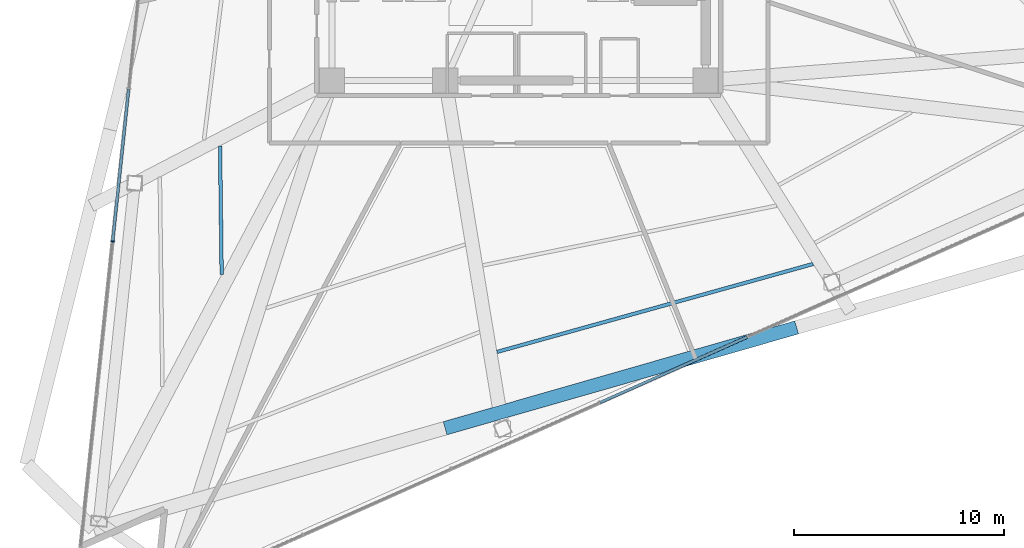
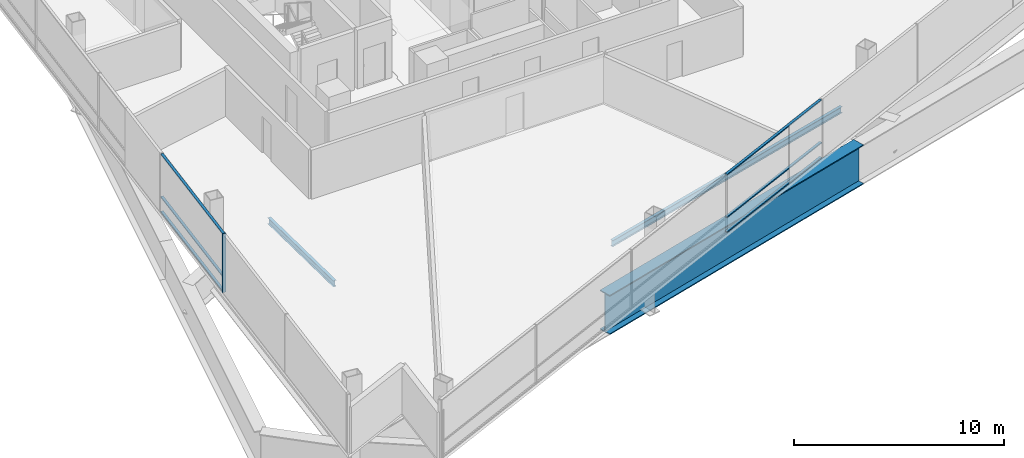
# One storey, part 3 of 17: 7 members, 3 beams, 2 elements without a shape of their own.
"""IFC4 building model written with IfcOpenShell, lengths in metres."""

from ifc_helpers import new_model, si_unit, direction, frame, origin, origin_2d, place, context, subcontext, project, spatial, rectangle, i_section, extrude, material, layer, layer_set, material_profile, profile_set, type_object, element, aggregate, save


model = new_model("IFC4")

# Units and contexts
model_context = context("Model", 3, precision=1e-05, world=origin(), true_north=direction((0.0, 1.0)))
body_context = subcontext(model_context, "Body", "Model", "MODEL_VIEW")
ifc_project = project(units=[si_unit("LENGTHUNIT", "METRE"), si_unit("AREAUNIT", "SQUARE_METRE"), si_unit("VOLUMEUNIT", "CUBIC_METRE"), si_unit("PLANEANGLEUNIT", "RADIAN"), si_unit("MASSUNIT", "GRAM", prefix="KILO")], contexts=[model_context])

# Site, building, storey
site_placement = place(None, origin())
site = spatial("IfcSite", under=ifc_project, at=site_placement, CompositionType="ELEMENT")
building_placement = place(site_placement, origin())
building = spatial("IfcBuilding", under=site, at=building_placement, Name="Tharavind Bronze Gate", CompositionType="ELEMENT")
storey_placement = place(building_placement, frame((0.0, 0.0, 112.449951171875)))
storey = spatial("IfcBuildingStorey", under=building, at=storey_placement, Name="L28", CompositionType="ELEMENT", Elevation=112.449951171875)

# Curtain wall, members
ifc_material_1 = material(Name="Anodised Bronze Aluminium", Category="aluminium")
ifc_layer = layer(ifc_material_1, 0.219970703125)
ifc_layer_set = layer_set([ifc_layer], Name="Anodised Bronze Aluminium")
curtain_wall_type = type_object("IfcCurtainWallType", Name="UNITISED CURTAIN WALL LOWER OFFICE", PredefinedType="USERDEFINED", material=ifc_layer_set)
curtain_wall_1_placement = place(storey_placement, origin())
curtain_wall_1 = element("IfcCurtainWall", 1, at=curtain_wall_1_placement, inside=storey, type_object=curtain_wall_type, Name="L28 unitised curtain wall lower office CW-L28-S1", ObjectType="UNITISED CURTAIN WALL", PredefinedType="USERDEFINED")
member_type_1 = type_object("IfcMemberType", Name="CURTAIN WALL BRONZE MULLION 65X180", PredefinedType="MULLION", material=ifc_material_1)
member_1_placement = place(storey_placement, frame((-19.349853515625, -15.2646484375, 0.0), z_axis=(0.0, 0.0, 1.0), x_axis=(-0.104526727499, -0.994522077803, 0.0)))
member_1 = element("IfcMember", 2, at=member_1_placement, type_object=member_type_1, Name="CW-L28-S1 mullion 6", PredefinedType="MULLION", context=body_context, shape_type="SweptSolid", body=[
    extrude(rectangle(XDim=0.06494140625, YDim=0.179931640625, at=origin_2d()), origin(), (0.0, 0.0, 1.0), 3.409912109375),
])
member_type_2 = type_object("IfcMemberType", Name="CURTAIN WALL BRONZE TRANSOM 65X140", PredefinedType="USERDEFINED", material=ifc_material_1)
member_2_placement = place(storey_placement, frame((-18.967529296875, -11.628173828125, 0.0), z_axis=(0.0, 0.0, 1.0), x_axis=(-0.104526727499, -0.994522077803, 0.0)))
member_2 = element("IfcMember", 3, at=member_2_placement, type_object=member_type_2, Name="CW-L28-S1 transom TB5", ObjectType="TRANSOM", PredefinedType="USERDEFINED", context=body_context, shape_type="SweptSolid", body=[
    extrude(rectangle(XDim=7.26025390625, YDim=0.139892578125, at=origin_2d()), origin(), (0.0, 0.0, 1.0), 0.06494140625),
])
member_3_placement = place(storey_placement, frame((-18.967529296875, -11.628173828125, 0.86767578125), z_axis=(0.0, 0.0, 1.0), x_axis=(-0.104526727499, -0.994522077803, 0.0)))
member_3 = element("IfcMember", 4, at=member_3_placement, type_object=member_type_2, Name="CW-L28-S1 transom TS5", ObjectType="TRANSOM", PredefinedType="USERDEFINED", context=body_context, shape_type="SweptSolid", body=[
    extrude(rectangle(XDim=7.26025390625, YDim=0.139892578125, at=origin_2d()), origin(), (0.0, 0.0, 1.0), 0.06494140625),
])
member_4_placement = place(storey_placement, frame((-18.967529296875, -11.628173828125, 3.344970703125), z_axis=(0.0, 0.0, 1.0), x_axis=(-0.104526727499, -0.994522077803, 0.0)))
member_4 = element("IfcMember", 5, at=member_4_placement, type_object=member_type_2, Name="CW-L28-S1 transom TT5", ObjectType="TRANSOM", PredefinedType="USERDEFINED", context=body_context, shape_type="SweptSolid", body=[
    extrude(rectangle(XDim=7.26025390625, YDim=0.139892578125, at=origin_2d()), origin(), (0.0, 0.0, 1.0), 0.06494140625),
])
aggregate(curtain_wall_1, [member_1, member_2, member_3, member_4])

curtain_wall_2_placement = place(storey_placement, origin())
curtain_wall_2 = element("IfcCurtainWall", 6, at=curtain_wall_2_placement, inside=storey, type_object=curtain_wall_type, Name="L28 unitised curtain wall lower office CW-L28-S2", ObjectType="UNITISED CURTAIN WALL", PredefinedType="USERDEFINED")
member_5_placement = place(storey_placement, frame((7.38232421875, -21.380859375, 0.0), z_axis=(0.0, 0.0, 1.0), x_axis=(0.913545457643, 0.406736643076, 0.0)))
member_5 = element("IfcMember", 7, at=member_5_placement, type_object=member_type_2, Name="CW-L28-S2 transom TB4", ObjectType="TRANSOM", PredefinedType="USERDEFINED", context=body_context, shape_type="SweptSolid", body=[
    extrude(rectangle(XDim=7.677490234375, YDim=0.139892578125, at=origin_2d()), origin(), (0.0, 0.0, 1.0), 0.06494140625),
])
member_6_placement = place(storey_placement, frame((7.38232421875, -21.380859375, 0.86767578125), z_axis=(0.0, 0.0, 1.0), x_axis=(0.913545457643, 0.406736643076, 0.0)))
member_6 = element("IfcMember", 8, at=member_6_placement, type_object=member_type_2, Name="CW-L28-S2 transom TS4", ObjectType="TRANSOM", PredefinedType="USERDEFINED", context=body_context, shape_type="SweptSolid", body=[
    extrude(rectangle(XDim=7.677490234375, YDim=0.139892578125, at=origin_2d()), origin(), (0.0, 0.0, 1.0), 0.06494140625),
])
member_7_placement = place(storey_placement, frame((7.38232421875, -21.380859375, 3.344970703125), z_axis=(0.0, 0.0, 1.0), x_axis=(0.913545457643, 0.406736643076, 0.0)))
member_7 = element("IfcMember", 9, at=member_7_placement, type_object=member_type_2, Name="CW-L28-S2 transom TT4", ObjectType="TRANSOM", PredefinedType="USERDEFINED", context=body_context, shape_type="SweptSolid", body=[
    extrude(rectangle(XDim=7.677490234375, YDim=0.139892578125, at=origin_2d()), origin(), (0.0, 0.0, 1.0), 0.06494140625),
])
aggregate(curtain_wall_2, [member_5, member_6, member_7])

# Beams
ifc_material_2 = material(Name="Steel S355", Category="steel")
ifc_material_profile_1 = material_profile(ifc_material_2, i_section(OverallWidth=0.169921875, OverallDepth=0.360107421875, WebThickness=0.008056640625, FlangeThickness=0.0126953125, at=origin_2d()), Name="IPE360")
ifc_profile_set_1 = profile_set([ifc_material_profile_1], Name="Steel S355")
beam_type_1 = type_object("IfcBeamType", Name="SECONDARY FLOOR JOIST IPE360", PredefinedType="JOIST", material=ifc_profile_set_1)
beam_1_placement = place(storey_placement, frame((-14.23193359375, -10.713623046875, -0.369873046875), z_axis=(0.012584633427, -0.999920810365, 0.0), x_axis=(0.999920810365, 0.012584633427, 0.0)))
element("IfcBeam", 10, at=beam_1_placement, inside=storey, type_object=beam_type_1, Name="L28 secondary floor joist ipe360 BM-L28-JSTA03", PredefinedType="JOIST", context=body_context, shape_type="SweptSolid", body=[
    extrude(i_section(OverallWidth=0.169921875, OverallDepth=0.360107421875, WebThickness=0.008056640625, FlangeThickness=0.0126953125, at=origin_2d()), origin(), (0.0, 0.0, 1.0), 6.13037109375),
])
beam_2_placement = place(storey_placement, frame((-1.035400390625, -20.53271484375, -0.369873046875), z_axis=(0.963366249337, 0.268189242211, 0.0), x_axis=(-0.268189242211, 0.963366249337, 0.0)))
element("IfcBeam", 11, at=beam_2_placement, inside=storey, type_object=beam_type_1, Name="L28 secondary floor joist ipe360 BM-L28-JSTB06", PredefinedType="JOIST", context=body_context, shape_type="SweptSolid", body=[
    extrude(i_section(OverallWidth=0.169921875, OverallDepth=0.360107421875, WebThickness=0.008056640625, FlangeThickness=0.0126953125, at=origin_2d()), origin(), (0.0, 0.0, 1.0), 15.62939453125),
])
ifc_material_3 = material(Name="Steel S460", Category="steel")
ifc_material_profile_2 = material_profile(ifc_material_3, i_section(OverallWidth=0.64990234375, OverallDepth=2.300048828125, WebThickness=0.035888671875, FlangeThickness=0.05810546875, at=origin_2d()), Name="PG2300X650")
ifc_profile_set_2 = profile_set([ifc_material_profile_2], Name="Steel S460")
beam_type_2 = type_object("IfcBeamType", Name="TRANSFER GIRDER 2300X650", PredefinedType="USERDEFINED", material=ifc_profile_set_2)
beam_3_placement = place(storey_placement, frame((-3.5078125, -24.1669921875, -1.33984375), z_axis=(0.961261198388, 0.275639090974, 0.0), x_axis=(-0.275639090974, 0.961261198388, 0.0)))
element("IfcBeam", 12, at=beam_3_placement, inside=storey, type_object=beam_type_2, Name="L28 transfer girder 2300x650 BM-L28-LRG06", ObjectType="TRANSFER GIRDER", PredefinedType="USERDEFINED", context=body_context, shape_type="SweptSolid", body=[
    extrude(i_section(OverallWidth=0.64990234375, OverallDepth=2.300048828125, WebThickness=0.035888671875, FlangeThickness=0.05810546875, at=origin_2d()), origin(), (0.0, 0.0, 1.0), 17.42041015625),
])

save(model, "model.ifc")
